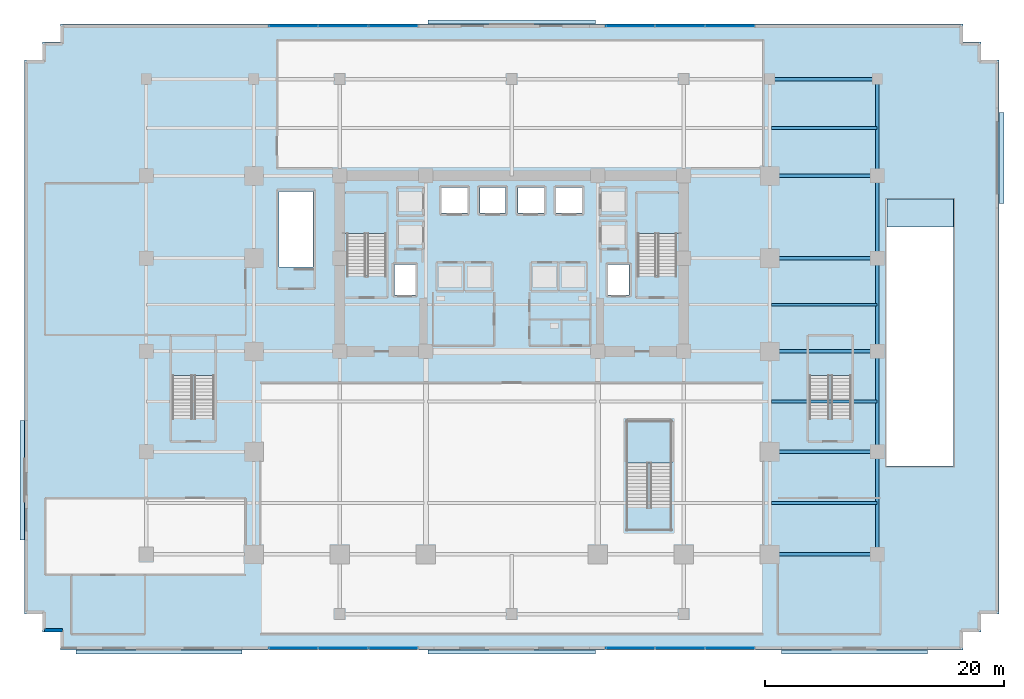
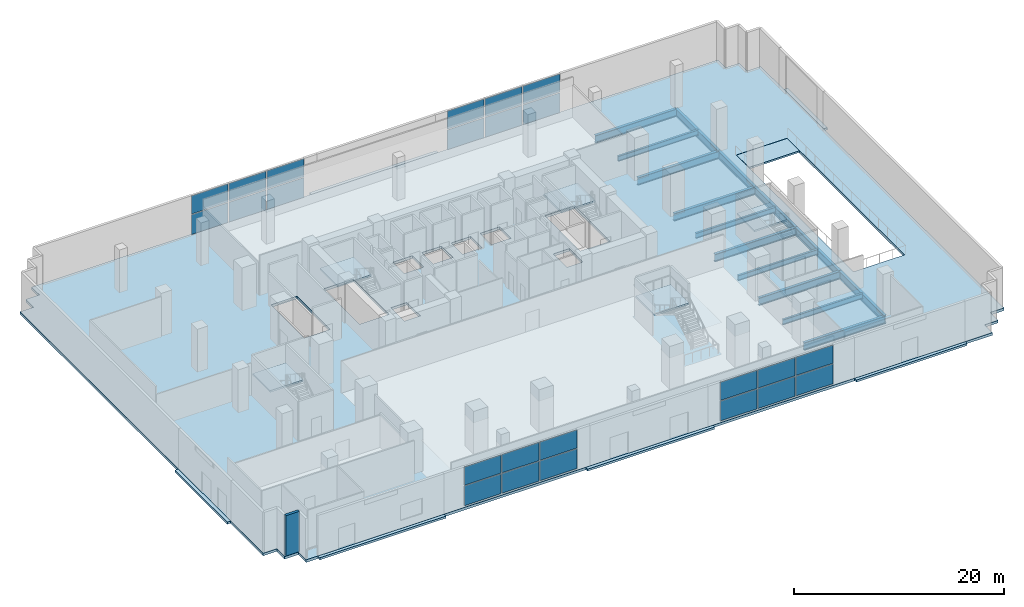
# One storey, part 12 of 27: 24 plates, 15 beams, 13 slabs, 1 wall, 9 elements without a shape of their own.
"""IFC4 building model written with IfcOpenShell, lengths in metres."""

from ifc_helpers import new_model, si_unit, direction, frame, frame_2d, origin, origin_2d, place, context, subcontext, project, spatial, polyline, rectangle, i_section, outline, extrude, source, transform, mapped, material, layer, layer_set, material_profile, profile_set, type_object, element, aggregate, save


model = new_model("IFC4")

# Units and contexts
model_context = context("Model", 3, precision=1e-05, world=origin(), true_north=direction((0.0, 1.0)))
body_context = subcontext(model_context, "Body", "Model", "MODEL_VIEW")
ifc_project = project(units=[si_unit("LENGTHUNIT", "METRE"), si_unit("AREAUNIT", "SQUARE_METRE"), si_unit("VOLUMEUNIT", "CUBIC_METRE"), si_unit("PLANEANGLEUNIT", "RADIAN"), si_unit("MASSUNIT", "GRAM", prefix="KILO")], contexts=[model_context])

# Site, building, storey
site_placement = place(None, origin())
site = spatial("IfcSite", under=ifc_project, at=site_placement, CompositionType="ELEMENT")
building_placement = place(site_placement, origin())
building = spatial("IfcBuilding", under=site, at=building_placement, Name="Zarnakvel Exchange Tower", CompositionType="ELEMENT")
storey_placement = place(building_placement, origin())
storey = spatial("IfcBuildingStorey", under=building, at=storey_placement, Name="L00", CompositionType="ELEMENT", Elevation=0.0)

# Beams
ifc_material_1 = material(Name="Steel S355", Category="steel")
ifc_material_profile_1 = material_profile(ifc_material_1, i_section(OverallWidth=0.230224609375, OverallDepth=0.6171875, WebThickness=0.01318359375, FlangeThickness=0.022216796875, FilletRadius=0.0126953125, at=origin_2d()))
ifc_profile_set_1 = profile_set([ifc_material_profile_1], Name="Steel S355")
beam_type_1 = type_object("IfcBeamType", Name="B-02", PredefinedType="JOIST", material=ifc_profile_set_1)
for number, where, z_axis, x_axis, name in (
    (1, (21.75, -13.89990234375, -0.608642578125), (1.0, 0.0, 0.0), (0.0, 1.0, 0.0), "L00 Secondary Floor Joist"),
    (2, (21.75, -5.39990234375, -0.608642578125), (1.0, 0.0, 0.0), (0.0, 1.0, 0.0), "L00 Secondary Floor Joist"),
    (3, (21.75, 2.699951171875, -0.608642578125), (1.0, 0.0, 0.0), (0.0, 1.0, 0.0), "L00 Secondary Floor Joist"),
    (4, (21.75, 17.5, -0.608642578125), (1.0, 0.0, 0.0), (0.0, 1.0, 0.0), "L00 North Bay Secondary Floor Joist"),
):
    element("IfcBeam", number, at=place(storey_placement, frame(where, z_axis=z_axis, x_axis=x_axis)), inside=storey, type_object=beam_type_1, Name=name, PredefinedType="JOIST", context=body_context, shape_type="SweptSolid", body=[
        extrude(i_section(OverallWidth=0.230224609375, OverallDepth=0.6171875, WebThickness=0.01318359375, FlangeThickness=0.022216796875, FilletRadius=0.0126953125, at=origin_2d()), origin(), (0.0, 0.0, 1.0), 8.85009765625),
    ])
ifc_material_profile_2 = material_profile(ifc_material_1, i_section(OverallWidth=0.300048828125, OverallDepth=0.89990234375, WebThickness=0.0185546875, FlangeThickness=0.034912109375, FilletRadius=0.030029296875, at=origin_2d()))
ifc_profile_set_2 = profile_set([ifc_material_profile_2], Name="Steel S355")
beam_type_2 = type_object("IfcBeamType", Name="G-01", PredefinedType="BEAM", material=ifc_profile_set_2)
for number, where, z_axis, x_axis, name in (
    (5, (21.60009765625, -18.199951171875, -0.75), (1.0, 0.0, 0.0), (0.0, 1.0, 0.0), "L00 Primary E-W Girder Y=-18.2"),
    (6, (21.60009765625, -9.60009765625, -0.75), (1.0, 0.0, 0.0), (0.0, 1.0, 0.0), "L00 Primary E-W Girder Y=-9.6"),
    (7, (21.60009765625, -1.199951171875, -0.75), (1.0, 0.0, 0.0), (0.0, 1.0, 0.0), "L00 Primary E-W Girder Y=-1.2"),
    (8, (21.60009765625, 6.60009765625, -0.75), (1.0, 0.0, 0.0), (0.0, 1.0, 0.0), "L00 Primary E-W Girder Y=+6.6"),
    (9, (21.60009765625, 13.5, -0.75), (1.0, 0.0, 0.0), (0.0, 1.0, 0.0), "L00 Primary E-W Girder Y=+13.5"),
    (10, (21.60009765625, 21.60009765625, -0.75), (1.0, 0.0, 0.0), (0.0, 1.0, 0.0), "L00 Primary E-W Girder Y=+21.6"),
):
    element("IfcBeam", number, at=place(storey_placement, frame(where, z_axis=z_axis, x_axis=x_axis)), inside=storey, type_object=beam_type_2, Name=name, PredefinedType="BEAM", context=body_context, shape_type="SweptSolid", body=[
        extrude(i_section(OverallWidth=0.300048828125, OverallDepth=0.89990234375, WebThickness=0.0185546875, FlangeThickness=0.034912109375, FilletRadius=0.030029296875, at=origin_2d()), origin(), (0.0, 0.0, 1.0), 9.0),
    ])
beam_1_placement = place(storey_placement, frame((30.60009765625, -18.199951171875, -0.75), z_axis=(0.0, 1.0, 0.0), x_axis=(-1.0, 0.0, 0.0)))
element("IfcBeam", 11, at=beam_1_placement, inside=storey, type_object=beam_type_2, Name="L00 Primary N-S Girder X=+30.6", PredefinedType="BEAM", context=body_context, shape_type="SweptSolid", body=[
    extrude(i_section(OverallWidth=0.300048828125, OverallDepth=0.89990234375, WebThickness=0.0185546875, FlangeThickness=0.034912109375, FilletRadius=0.030029296875, at=origin_2d()), origin(), (0.0, 0.0, 1.0), 8.599853515625),
])
beam_2_placement = place(storey_placement, frame((30.60009765625, -9.60009765625, -0.75), z_axis=(0.0, 1.0, 0.0), x_axis=(-1.0, 0.0, 0.0)))
element("IfcBeam", 12, at=beam_2_placement, inside=storey, type_object=beam_type_2, Name="L00 Primary N-S Girder X=+30.6", PredefinedType="BEAM", context=body_context, shape_type="SweptSolid", body=[
    extrude(i_section(OverallWidth=0.300048828125, OverallDepth=0.89990234375, WebThickness=0.0185546875, FlangeThickness=0.034912109375, FilletRadius=0.030029296875, at=origin_2d()), origin(), (0.0, 0.0, 1.0), 8.400146484375),
])
beam_3_placement = place(storey_placement, frame((30.60009765625, -1.199951171875, -0.75), z_axis=(0.0, 1.0, 0.0), x_axis=(-1.0, 0.0, 0.0)))
element("IfcBeam", 13, at=beam_3_placement, inside=storey, type_object=beam_type_2, Name="L00 Primary N-S Girder X=+30.6", PredefinedType="BEAM", context=body_context, shape_type="SweptSolid", body=[
    extrude(i_section(OverallWidth=0.300048828125, OverallDepth=0.89990234375, WebThickness=0.0185546875, FlangeThickness=0.034912109375, FilletRadius=0.030029296875, at=origin_2d()), origin(), (0.0, 0.0, 1.0), 7.800048828125),
])
beam_4_placement = place(storey_placement, frame((30.60009765625, 6.60009765625, -0.75), z_axis=(0.0, 1.0, 0.0), x_axis=(-1.0, 0.0, 0.0)))
element("IfcBeam", 14, at=beam_4_placement, inside=storey, type_object=beam_type_2, Name="L00 Primary N-S Girder X=+30.6", PredefinedType="BEAM", context=body_context, shape_type="SweptSolid", body=[
    extrude(i_section(OverallWidth=0.300048828125, OverallDepth=0.89990234375, WebThickness=0.0185546875, FlangeThickness=0.034912109375, FilletRadius=0.030029296875, at=origin_2d()), origin(), (0.0, 0.0, 1.0), 6.89990234375),
])
beam_5_placement = place(storey_placement, frame((30.60009765625, 13.5, -0.75), z_axis=(0.0, 1.0, 0.0), x_axis=(-1.0, 0.0, 0.0)))
element("IfcBeam", 15, at=beam_5_placement, inside=storey, type_object=beam_type_2, Name="L00 Primary N-S Girder X=+30.6", PredefinedType="BEAM", context=body_context, shape_type="SweptSolid", body=[
    extrude(i_section(OverallWidth=0.300048828125, OverallDepth=0.89990234375, WebThickness=0.0185546875, FlangeThickness=0.034912109375, FilletRadius=0.030029296875, at=origin_2d()), origin(), (0.0, 0.0, 1.0), 8.10009765625),
])

# Slabs
ifc_material_2 = material(Name="Concrete C40/50", Category="concrete")
ifc_layer_1 = layer(ifc_material_2, 0.25)
ifc_layer_set_1 = layer_set([ifc_layer_1], Name="Concrete C40/50")
slab_type_1 = type_object("IfcSlabType", Name="AP-01", PredefinedType="USERDEFINED", material=ifc_layer_set_1)
slab_1_placement = place(storey_placement, frame((0.0, 0.0, -0.25)))
element("IfcSlab", 16, at=slab_1_placement, inside=storey, type_object=slab_type_1, Name="L00 South Main Entrance Threshold Apron", ObjectType="APRON_SLAB", PredefinedType="USERDEFINED", context=body_context, shape_type="SweptSolid", body=[
    extrude(outline(polyline([(-7.0, -26.550048828125), (7.0, -26.550048828125), (7.0, -26.199951171875), (-7.0, -26.199951171875), (-7.0, -26.550048828125)])), origin(), (0.0, 0.0, 1.0), 0.25),
])
slab_2_placement = place(storey_placement, frame((0.0, 0.0, -0.25)))
element("IfcSlab", 17, at=slab_2_placement, inside=storey, type_object=slab_type_1, Name="L00 North Drop-Off Threshold Apron", ObjectType="APRON_SLAB", PredefinedType="USERDEFINED", context=body_context, shape_type="SweptSolid", body=[
    extrude(outline(polyline([(-7.0, 26.199951171875), (7.0, 26.199951171875), (7.0, 26.550048828125), (-7.0, 26.550048828125), (-7.0, 26.199951171875)])), origin(), (0.0, 0.0, 1.0), 0.25),
])
slab_3_placement = place(storey_placement, frame((0.0, 0.0, -0.25)))
element("IfcSlab", 18, at=slab_3_placement, inside=storey, type_object=slab_type_1, Name="L00 West Exit Discharge Threshold Apron", ObjectType="APRON_SLAB", PredefinedType="USERDEFINED", context=body_context, shape_type="SweptSolid", body=[
    extrude(outline(polyline([(-41.179931640625, -17.0), (-40.800048828125, -17.0), (-40.800048828125, -7.0), (-41.179931640625, -7.0), (-41.179931640625, -17.0)])), origin(), (0.0, 0.0, 1.0), 0.25),
])
slab_4_placement = place(storey_placement, frame((0.0, 0.0, -0.25)))
element("IfcSlab", 19, at=slab_4_placement, inside=storey, type_object=slab_type_1, Name="L00 Fire Command Threshold Apron", ObjectType="APRON_SLAB", PredefinedType="USERDEFINED", context=body_context, shape_type="SweptSolid", body=[
    extrude(outline(polyline([(-36.5, -26.550048828125), (-22.60009765625, -26.550048828125), (-22.60009765625, -26.199951171875), (-36.5, -26.199951171875), (-36.5, -26.550048828125)])), origin(), (0.0, 0.0, 1.0), 0.25),
])
slab_5_placement = place(storey_placement, frame((0.0, 0.0, -0.25)))
element("IfcSlab", 20, at=slab_5_placement, inside=storey, type_object=slab_type_1, Name="L00 South-East Exit Threshold Apron", ObjectType="APRON_SLAB", PredefinedType="USERDEFINED", context=body_context, shape_type="SweptSolid", body=[
    extrude(outline(polyline([(22.60009765625, -26.550048828125), (34.800048828125, -26.550048828125), (34.800048828125, -26.199951171875), (22.60009765625, -26.199951171875), (22.60009765625, -26.550048828125)])), origin(), (0.0, 0.0, 1.0), 0.25),
])
slab_6_placement = place(storey_placement, frame((0.0, 0.0, -0.25)))
element("IfcSlab", 21, at=slab_6_placement, inside=storey, type_object=slab_type_1, Name="L00 Car-Park Ramp Driveway Apron Slab", ObjectType="APRON_SLAB", PredefinedType="USERDEFINED", context=body_context, shape_type="SweptSolid", body=[
    extrude(outline(polyline([(40.800048828125, 11.199951171875), (41.219970703125, 11.199951171875), (41.219970703125, 18.800048828125), (40.800048828125, 18.800048828125), (40.800048828125, 11.199951171875)])), origin(), (0.0, 0.0, 1.0), 0.25),
])

# Stair, slab
stair_type_1 = type_object("IfcStairType", Name="STR-01", PredefinedType="HALF_TURN_STAIR", material=ifc_material_2)
stair_1_placement = place(storey_placement, origin())
stair_1 = element("IfcStair", 22, at=stair_1_placement, inside=storey, type_object=stair_type_1, Name="L00 Protected Core Exit Stair ST-01", PredefinedType="HALF_TURN_STAIR")
ifc_layer_2 = layer(ifc_material_2, 0.199951171875)
ifc_layer_set_2 = layer_set([ifc_layer_2], Name="Concrete C40/50")
slab_type_2 = type_object("IfcSlabType", Name="LDG-01", PredefinedType="LANDING", material=ifc_layer_set_2)
slab_7_placement = place(storey_placement, frame((0.0, 0.0, 2.300048828125)))
slab_7 = element("IfcSlab", 23, at=slab_7_placement, type_object=slab_type_2, Name="ST-01 landing 1", PredefinedType="LANDING", context=body_context, shape_type="SweptSolid", body=[
    extrude(outline(polyline([(-14.18994140625, 8.68994140625), (-10.4599609375, 8.68994140625), (-10.4599609375, 12.080078125), (-14.18994140625, 12.080078125), (-14.18994140625, 8.68994140625)])), origin(), (0.0, 0.0, 1.0), 0.199951171875),
])
aggregate(stair_1, [slab_7])

stair_2_placement = place(storey_placement, origin())
stair_2 = element("IfcStair", 24, at=stair_2_placement, inside=storey, type_object=stair_type_1, Name="L00 Protected Core Exit Stair ST-02", PredefinedType="HALF_TURN_STAIR")
slab_8_placement = place(storey_placement, frame((0.0, 0.0, 2.300048828125)))
slab_8 = element("IfcSlab", 25, at=slab_8_placement, type_object=slab_type_2, Name="ST-02 landing 1", PredefinedType="LANDING", context=body_context, shape_type="SweptSolid", body=[
    extrude(outline(polyline([(10.4599609375, 8.68994140625), (14.18994140625, 8.68994140625), (14.18994140625, 12.080078125), (10.4599609375, 12.080078125), (10.4599609375, 8.68994140625)])), origin(), (0.0, 0.0, 1.0), 0.199951171875),
])
aggregate(stair_2, [slab_8])

stair_type_2 = type_object("IfcStairType", Name="STR-02", PredefinedType="HALF_TURN_STAIR", material=ifc_material_2)
stair_3_placement = place(storey_placement, origin())
stair_3 = element("IfcStair", 26, at=stair_3_placement, inside=storey, type_object=stair_type_2, Name="L00 Podium West Exit Stair ST-03", PredefinedType="HALF_TURN_STAIR")
slab_9_placement = place(storey_placement, frame((0.0, 0.0, 2.300048828125)))
slab_9 = element("IfcSlab", 27, at=slab_9_placement, type_object=slab_type_2, Name="ST-03 landing 1", PredefinedType="LANDING", context=body_context, shape_type="SweptSolid", body=[
    extrude(outline(polyline([(-28.5, -3.2099609375), (-24.840087890625, -3.2099609375), (-24.840087890625, 0.10009765625), (-28.5, 0.10009765625), (-28.5, -3.2099609375)])), origin(), (0.0, 0.0, 1.0), 0.199951171875),
])
aggregate(stair_3, [slab_9])

stair_4_placement = place(storey_placement, origin())
stair_4 = element("IfcStair", 28, at=stair_4_placement, inside=storey, type_object=stair_type_2, Name="L00 Podium East Exit Stair ST-04", PredefinedType="HALF_TURN_STAIR")
slab_10_placement = place(storey_placement, frame((0.0, 0.0, 2.300048828125)))
slab_10 = element("IfcSlab", 29, at=slab_10_placement, type_object=slab_type_2, Name="ST-04 landing 1", PredefinedType="LANDING", context=body_context, shape_type="SweptSolid", body=[
    extrude(outline(polyline([(24.840087890625, -3.2099609375), (28.5, -3.2099609375), (28.5, 0.10009765625), (24.840087890625, 0.10009765625), (24.840087890625, -3.2099609375)])), origin(), (0.0, 0.0, 1.0), 0.199951171875),
])
aggregate(stair_4, [slab_10])

stair_type_3 = type_object("IfcStairType", Name="STR-04", PredefinedType="HALF_TURN_STAIR", material=ifc_material_2)
stair_5_placement = place(storey_placement, origin())
stair_5 = element("IfcStair", 30, at=stair_5_placement, inside=storey, type_object=stair_type_3, Name="L00 Exchange Concourse Atrium Feature Stair ST-06", PredefinedType="HALF_TURN_STAIR")
slab_11_placement = place(storey_placement, frame((0.0, 0.0, 2.300048828125)))
slab_11 = element("IfcSlab", 31, at=slab_11_placement, type_object=slab_type_2, Name="ST-06 landing 1", PredefinedType="LANDING", context=body_context, shape_type="SweptSolid", body=[
    extrude(outline(polyline([(9.580078125, -10.530029296875), (13.419921875, -10.530029296875), (13.419921875, -6.97998046875), (9.580078125, -6.97998046875), (9.580078125, -10.530029296875)])), origin(), (0.0, 0.0, 1.0), 0.199951171875),
])
aggregate(stair_5, [slab_11])

# Slabs
slab_12_placement = place(storey_placement, frame((0.0, 0.0, -0.199951171875)))
element("IfcSlab", 32, at=slab_12_placement, inside=storey, type_object=slab_type_2, Name="L00 Car Park Vehicle Ramp R-01 Grade Arrival Landing", PredefinedType="LANDING", context=body_context, shape_type="SweptSolid", body=[
    extrude(outline(polyline([(31.419921875, 9.199951171875), (36.97998046875, 9.199951171875), (36.97998046875, 11.580078125), (31.419921875, 11.580078125), (31.419921875, 9.199951171875)])), origin(), (0.0, 0.0, 1.0), 0.199951171875),
])
ifc_layer_3 = layer(ifc_material_2, 0.300048828125)
ifc_layer_set_3 = layer_set([ifc_layer_3], Name="Concrete C40/50")
slab_type_3 = type_object("IfcSlabType", Name="SL-01", PredefinedType="FLOOR", material=ifc_layer_set_3)
slab_13_placement = place(storey_placement, frame((0.0, 0.0, -0.300048828125)))
element("IfcSlab", 33, at=slab_13_placement, inside=storey, type_object=slab_type_3, Name="L00 Primary Structural Floor Slab", PredefinedType="FLOOR", context=body_context, shape_type="SweptSolid", body=[
    extrude(outline(polyline([(-40.800048828125, -23.199951171875), (-39.300048828125, -23.199951171875), (-39.300048828125, -24.699951171875), (-37.800048828125, -24.699951171875), (-37.800048828125, -26.199951171875), (37.800048828125, -26.199951171875), (37.800048828125, -24.699951171875), (39.300048828125, -24.699951171875), (39.300048828125, -23.199951171875), (40.800048828125, -23.199951171875), (40.800048828125, 23.199951171875), (39.300048828125, 23.199951171875), (39.300048828125, 24.699951171875), (37.800048828125, 24.699951171875), (37.800048828125, 26.199951171875), (-37.800048828125, 26.199951171875), (-37.800048828125, 24.699951171875), (-39.300048828125, 24.699951171875), (-39.300048828125, 23.199951171875), (-40.800048828125, 23.199951171875), (-40.800048828125, -23.199951171875)]), holes=[polyline([(-13.800048828125, 5.2099609375), (-10.5400390625, 5.2099609375), (-10.5400390625, 12.0), (-13.800048828125, 12.0), (-13.800048828125, 5.2099609375)]), polyline([(10.5400390625, 5.2099609375), (13.800048828125, 5.2099609375), (13.800048828125, 12.0), (10.5400390625, 12.0), (10.5400390625, 5.2099609375)]), polyline([(-19.5, 5.860107421875), (-16.639892578125, 5.860107421875), (-16.639892578125, 12.199951171875), (-19.5, 12.199951171875), (-19.5, 5.860107421875)]), polyline([(-9.830078125, 3.52001953125), (-8.070068359375, 3.52001953125), (-8.070068359375, 6.080078125), (-9.830078125, 6.080078125), (-9.830078125, 3.52001953125)]), polyline([(8.070068359375, 3.52001953125), (9.830078125, 3.52001953125), (9.830078125, 6.080078125), (8.070068359375, 6.080078125), (8.070068359375, 3.52001953125)]), polyline([(-5.8798828125, 10.3701171875), (-3.719970703125, 10.3701171875), (-3.719970703125, 12.530029296875), (-5.8798828125, 12.530029296875), (-5.8798828125, 10.3701171875)]), polyline([(-2.679931640625, 10.3701171875), (-0.52001953125, 10.3701171875), (-0.52001953125, 12.530029296875), (-2.679931640625, 12.530029296875), (-2.679931640625, 10.3701171875)]), polyline([(0.52001953125, 10.3701171875), (2.679931640625, 10.3701171875), (2.679931640625, 12.530029296875), (0.52001953125, 12.530029296875), (0.52001953125, 10.3701171875)]), polyline([(3.719970703125, 10.3701171875), (5.8798828125, 10.3701171875), (5.8798828125, 12.530029296875), (3.719970703125, 12.530029296875), (3.719970703125, 10.3701171875)]), polyline([(31.39990234375, -10.800048828125), (37.0, -10.800048828125), (37.0, 11.60009765625), (31.39990234375, 11.60009765625), (31.39990234375, -10.800048828125)])]), origin(), (0.0, 0.0, 1.0), 0.300048828125),
])

# Curtain wall, plates
ifc_material_3 = material(Name="Architectural Bronze Anodised Aluminium", Category="aluminium")
ifc_layer_4 = layer(ifc_material_3, 0.260009765625)
ifc_layer_set_4 = layer_set([ifc_layer_4], Name="Architectural Bronze Anodised Aluminium")
curtain_wall_type = type_object("IfcCurtainWallType", Name="CW-01", PredefinedType="NOTDEFINED", material=ifc_layer_set_4)
curtain_wall_1_placement = place(storey_placement, origin())
curtain_wall_1 = element("IfcCurtainWall", 34, at=curtain_wall_1_placement, inside=storey, type_object=curtain_wall_type, Name="L00 Curtain Wall CW-L00-S1 (CW-01)", PredefinedType="NOTDEFINED")
ifc_material_4 = material(Name="Double Low-E Laminated Vision Glass", Category="glass")
ifc_layer_5 = layer(ifc_material_4, 0.035888671875)
ifc_layer_set_5 = layer_set([ifc_layer_5], Name="Double Low-E Laminated Vision Glass")
plate_type = type_object("IfcPlateType", Name="CWP-01", PredefinedType="CURTAIN_PANEL", material=ifc_layer_set_5)
shared_shape_1 = source(origin(), body_context, "Body", "SweptSolid", [
    extrude(rectangle(XDim=4.050048828125, YDim=0.035888671875, at=origin_2d()), origin(), (0.0, 0.0, 1.0), 2.298583984375),
])
plate_1_placement = place(storey_placement, frame((-18.27490234375, -26.0400390625, 0.08984375), z_axis=(0.0, 0.0, 1.0), x_axis=(1.0, 0.0, 0.0)))
plate_1 = element("IfcPlate", 35, at=plate_1_placement, type_object=plate_type, Name="CW-01 panel 1.1", PredefinedType="CURTAIN_PANEL", context=body_context, shape_type="MappedRepresentation", body=[
    mapped(shared_shape_1, transform((0.0, 0.0, 0.0), x_axis=(1.0, 0.0, 0.0), y_axis=(0.0, 1.0, 0.0), z_axis=(0.0, 0.0, 1.0), scale=1.0)),
])
plate_2_placement = place(storey_placement, frame((-9.925048828125, -26.0400390625, 0.08984375), z_axis=(0.0, 0.0, 1.0), x_axis=(1.0, 0.0, 0.0)))
plate_2 = element("IfcPlate", 36, at=plate_2_placement, type_object=plate_type, Name="CW-01 panel 3.1", PredefinedType="CURTAIN_PANEL", context=body_context, shape_type="MappedRepresentation", body=[
    mapped(shared_shape_1, transform((0.0, 0.0, 0.0), x_axis=(1.0, 0.0, 0.0), y_axis=(0.0, 1.0, 0.0), z_axis=(0.0, 0.0, 1.0), scale=1.0)),
])

curtain_wall_2_placement = place(storey_placement, origin())
curtain_wall_2 = element("IfcCurtainWall", 37, at=curtain_wall_2_placement, inside=storey, type_object=curtain_wall_type, Name="L00 Curtain Wall CW-L00-S2 (CW-01)", PredefinedType="NOTDEFINED")
plate_3_placement = place(storey_placement, frame((9.925048828125, -26.0400390625, 0.08984375), z_axis=(0.0, 0.0, 1.0), x_axis=(1.0, 0.0, 0.0)))
plate_3 = element("IfcPlate", 38, at=plate_3_placement, type_object=plate_type, Name="CW-01 panel 1.1", PredefinedType="CURTAIN_PANEL", context=body_context, shape_type="MappedRepresentation", body=[
    mapped(shared_shape_1, transform((0.0, 0.0, 0.0), x_axis=(1.0, 0.0, 0.0), y_axis=(0.0, 1.0, 0.0), z_axis=(0.0, 0.0, 1.0), scale=1.0)),
])
plate_4_placement = place(storey_placement, frame((18.27490234375, -26.0400390625, 0.08984375), z_axis=(0.0, 0.0, 1.0), x_axis=(1.0, 0.0, 0.0)))
plate_4 = element("IfcPlate", 39, at=plate_4_placement, type_object=plate_type, Name="CW-01 panel 3.1", PredefinedType="CURTAIN_PANEL", context=body_context, shape_type="MappedRepresentation", body=[
    mapped(shared_shape_1, transform((0.0, 0.0, 0.0), x_axis=(1.0, 0.0, 0.0), y_axis=(0.0, 1.0, 0.0), z_axis=(0.0, 0.0, 1.0), scale=1.0)),
])

curtain_wall_3_placement = place(storey_placement, origin())
curtain_wall_3 = element("IfcCurtainWall", 40, at=curtain_wall_3_placement, inside=storey, type_object=curtain_wall_type, Name="L00 Curtain Wall CW-L00-N1 (CW-01)", PredefinedType="NOTDEFINED")
plate_5_placement = place(storey_placement, frame((-18.27490234375, 26.0400390625, 0.08984375), z_axis=(0.0, 0.0, 1.0), x_axis=(1.0, 0.0, 0.0)))
plate_5 = element("IfcPlate", 41, at=plate_5_placement, type_object=plate_type, Name="CW-01 panel 1.1", PredefinedType="CURTAIN_PANEL", context=body_context, shape_type="MappedRepresentation", body=[
    mapped(shared_shape_1, transform((0.0, 0.0, 0.0), x_axis=(1.0, 0.0, 0.0), y_axis=(0.0, 1.0, 0.0), z_axis=(0.0, 0.0, 1.0), scale=1.0)),
])
plate_6_placement = place(storey_placement, frame((-9.925048828125, 26.0400390625, 0.08984375), z_axis=(0.0, 0.0, 1.0), x_axis=(1.0, 0.0, 0.0)))
plate_6 = element("IfcPlate", 42, at=plate_6_placement, type_object=plate_type, Name="CW-01 panel 3.1", PredefinedType="CURTAIN_PANEL", context=body_context, shape_type="MappedRepresentation", body=[
    mapped(shared_shape_1, transform((0.0, 0.0, 0.0), x_axis=(1.0, 0.0, 0.0), y_axis=(0.0, 1.0, 0.0), z_axis=(0.0, 0.0, 1.0), scale=1.0)),
])

curtain_wall_4_placement = place(storey_placement, origin())
curtain_wall_4 = element("IfcCurtainWall", 43, at=curtain_wall_4_placement, inside=storey, type_object=curtain_wall_type, Name="L00 Curtain Wall CW-L00-N2 (CW-01)", PredefinedType="NOTDEFINED")
plate_7_placement = place(storey_placement, frame((9.925048828125, 26.0400390625, 0.08984375), z_axis=(0.0, 0.0, 1.0), x_axis=(1.0, 0.0, 0.0)))
plate_7 = element("IfcPlate", 44, at=plate_7_placement, type_object=plate_type, Name="CW-01 panel 1.1", PredefinedType="CURTAIN_PANEL", context=body_context, shape_type="MappedRepresentation", body=[
    mapped(shared_shape_1, transform((0.0, 0.0, 0.0), x_axis=(1.0, 0.0, 0.0), y_axis=(0.0, 1.0, 0.0), z_axis=(0.0, 0.0, 1.0), scale=1.0)),
])
plate_8_placement = place(storey_placement, frame((18.27490234375, 26.0400390625, 0.08984375), z_axis=(0.0, 0.0, 1.0), x_axis=(1.0, 0.0, 0.0)))
plate_8 = element("IfcPlate", 45, at=plate_8_placement, type_object=plate_type, Name="CW-01 panel 3.1", PredefinedType="CURTAIN_PANEL", context=body_context, shape_type="MappedRepresentation", body=[
    mapped(shared_shape_1, transform((0.0, 0.0, 0.0), x_axis=(1.0, 0.0, 0.0), y_axis=(0.0, 1.0, 0.0), z_axis=(0.0, 0.0, 1.0), scale=1.0)),
])

# Plate
shared_shape_2 = source(origin(), body_context, "Body", "SweptSolid", [
    extrude(rectangle(XDim=4.050048828125, YDim=0.035888671875, at=origin_2d()), origin(), (0.0, 0.0, 1.0), 2.111328125),
])
plate_9_placement = place(storey_placement, frame((-18.27490234375, -26.0400390625, 2.478515625), z_axis=(0.0, 0.0, 1.0), x_axis=(1.0, 0.0, 0.0)))
plate_9 = element("IfcPlate", 46, at=plate_9_placement, type_object=plate_type, Name="CW-01 panel 1.2", PredefinedType="CURTAIN_PANEL", context=body_context, shape_type="MappedRepresentation", body=[
    mapped(shared_shape_2, transform((0.0, 0.0, 0.0), x_axis=(1.0, 0.0, 0.0), y_axis=(0.0, 1.0, 0.0), z_axis=(0.0, 0.0, 1.0), scale=1.0)),
])

plate_10_placement = place(storey_placement, frame((-9.925048828125, -26.0400390625, 2.478515625), z_axis=(0.0, 0.0, 1.0), x_axis=(1.0, 0.0, 0.0)))
plate_10 = element("IfcPlate", 47, at=plate_10_placement, type_object=plate_type, Name="CW-01 panel 3.2", PredefinedType="CURTAIN_PANEL", context=body_context, shape_type="MappedRepresentation", body=[
    mapped(shared_shape_2, transform((0.0, 0.0, 0.0), x_axis=(1.0, 0.0, 0.0), y_axis=(0.0, 1.0, 0.0), z_axis=(0.0, 0.0, 1.0), scale=1.0)),
])

plate_11_placement = place(storey_placement, frame((9.925048828125, -26.0400390625, 2.478515625), z_axis=(0.0, 0.0, 1.0), x_axis=(1.0, 0.0, 0.0)))
plate_11 = element("IfcPlate", 48, at=plate_11_placement, type_object=plate_type, Name="CW-01 panel 1.2", PredefinedType="CURTAIN_PANEL", context=body_context, shape_type="MappedRepresentation", body=[
    mapped(shared_shape_2, transform((0.0, 0.0, 0.0), x_axis=(1.0, 0.0, 0.0), y_axis=(0.0, 1.0, 0.0), z_axis=(0.0, 0.0, 1.0), scale=1.0)),
])

plate_12_placement = place(storey_placement, frame((18.27490234375, -26.0400390625, 2.478515625), z_axis=(0.0, 0.0, 1.0), x_axis=(1.0, 0.0, 0.0)))
plate_12 = element("IfcPlate", 49, at=plate_12_placement, type_object=plate_type, Name="CW-01 panel 3.2", PredefinedType="CURTAIN_PANEL", context=body_context, shape_type="MappedRepresentation", body=[
    mapped(shared_shape_2, transform((0.0, 0.0, 0.0), x_axis=(1.0, 0.0, 0.0), y_axis=(0.0, 1.0, 0.0), z_axis=(0.0, 0.0, 1.0), scale=1.0)),
])

plate_13_placement = place(storey_placement, frame((-18.27490234375, 26.0400390625, 2.478515625), z_axis=(0.0, 0.0, 1.0), x_axis=(1.0, 0.0, 0.0)))
plate_13 = element("IfcPlate", 50, at=plate_13_placement, type_object=plate_type, Name="CW-01 panel 1.2", PredefinedType="CURTAIN_PANEL", context=body_context, shape_type="MappedRepresentation", body=[
    mapped(shared_shape_2, transform((0.0, 0.0, 0.0), x_axis=(1.0, 0.0, 0.0), y_axis=(0.0, 1.0, 0.0), z_axis=(0.0, 0.0, 1.0), scale=1.0)),
])

plate_14_placement = place(storey_placement, frame((-9.925048828125, 26.0400390625, 2.478515625), z_axis=(0.0, 0.0, 1.0), x_axis=(1.0, 0.0, 0.0)))
plate_14 = element("IfcPlate", 51, at=plate_14_placement, type_object=plate_type, Name="CW-01 panel 3.2", PredefinedType="CURTAIN_PANEL", context=body_context, shape_type="MappedRepresentation", body=[
    mapped(shared_shape_2, transform((0.0, 0.0, 0.0), x_axis=(1.0, 0.0, 0.0), y_axis=(0.0, 1.0, 0.0), z_axis=(0.0, 0.0, 1.0), scale=1.0)),
])

plate_15_placement = place(storey_placement, frame((9.925048828125, 26.0400390625, 2.478515625), z_axis=(0.0, 0.0, 1.0), x_axis=(1.0, 0.0, 0.0)))
plate_15 = element("IfcPlate", 52, at=plate_15_placement, type_object=plate_type, Name="CW-01 panel 1.2", PredefinedType="CURTAIN_PANEL", context=body_context, shape_type="MappedRepresentation", body=[
    mapped(shared_shape_2, transform((0.0, 0.0, 0.0), x_axis=(1.0, 0.0, 0.0), y_axis=(0.0, 1.0, 0.0), z_axis=(0.0, 0.0, 1.0), scale=1.0)),
])

plate_16_placement = place(storey_placement, frame((18.27490234375, 26.0400390625, 2.478515625), z_axis=(0.0, 0.0, 1.0), x_axis=(1.0, 0.0, 0.0)))
plate_16 = element("IfcPlate", 53, at=plate_16_placement, type_object=plate_type, Name="CW-01 panel 3.2", PredefinedType="CURTAIN_PANEL", context=body_context, shape_type="MappedRepresentation", body=[
    mapped(shared_shape_2, transform((0.0, 0.0, 0.0), x_axis=(1.0, 0.0, 0.0), y_axis=(0.0, 1.0, 0.0), z_axis=(0.0, 0.0, 1.0), scale=1.0)),
])

shared_shape_3 = source(origin(), body_context, "Body", "SweptSolid", [
    extrude(rectangle(XDim=4.10009765625, YDim=0.035888671875, at=origin_2d()), origin(), (0.0, 0.0, 1.0), 2.298583984375),
])
plate_17_placement = place(storey_placement, frame((-14.10009765625, -26.0400390625, 0.08984375), z_axis=(0.0, 0.0, 1.0), x_axis=(1.0, 0.0, 0.0)))
plate_17 = element("IfcPlate", 54, at=plate_17_placement, type_object=plate_type, Name="CW-01 panel 2.1", PredefinedType="CURTAIN_PANEL", context=body_context, shape_type="MappedRepresentation", body=[
    mapped(shared_shape_3, transform((0.0, 0.0, 0.0), x_axis=(1.0, 0.0, 0.0), y_axis=(0.0, 1.0, 0.0), z_axis=(0.0, 0.0, 1.0), scale=1.0)),
])

plate_18_placement = place(storey_placement, frame((14.10009765625, -26.0400390625, 0.08984375), z_axis=(0.0, 0.0, 1.0), x_axis=(1.0, 0.0, 0.0)))
plate_18 = element("IfcPlate", 55, at=plate_18_placement, type_object=plate_type, Name="CW-01 panel 2.1", PredefinedType="CURTAIN_PANEL", context=body_context, shape_type="MappedRepresentation", body=[
    mapped(shared_shape_3, transform((0.0, 0.0, 0.0), x_axis=(1.0, 0.0, 0.0), y_axis=(0.0, 1.0, 0.0), z_axis=(0.0, 0.0, 1.0), scale=1.0)),
])

plate_19_placement = place(storey_placement, frame((-14.10009765625, 26.0400390625, 0.08984375), z_axis=(0.0, 0.0, 1.0), x_axis=(1.0, 0.0, 0.0)))
plate_19 = element("IfcPlate", 56, at=plate_19_placement, type_object=plate_type, Name="CW-01 panel 2.1", PredefinedType="CURTAIN_PANEL", context=body_context, shape_type="MappedRepresentation", body=[
    mapped(shared_shape_3, transform((0.0, 0.0, 0.0), x_axis=(1.0, 0.0, 0.0), y_axis=(0.0, 1.0, 0.0), z_axis=(0.0, 0.0, 1.0), scale=1.0)),
])

plate_20_placement = place(storey_placement, frame((14.10009765625, 26.0400390625, 0.08984375), z_axis=(0.0, 0.0, 1.0), x_axis=(1.0, 0.0, 0.0)))
plate_20 = element("IfcPlate", 57, at=plate_20_placement, type_object=plate_type, Name="CW-01 panel 2.1", PredefinedType="CURTAIN_PANEL", context=body_context, shape_type="MappedRepresentation", body=[
    mapped(shared_shape_3, transform((0.0, 0.0, 0.0), x_axis=(1.0, 0.0, 0.0), y_axis=(0.0, 1.0, 0.0), z_axis=(0.0, 0.0, 1.0), scale=1.0)),
])

shared_shape_4 = source(origin(), body_context, "Body", "SweptSolid", [
    extrude(rectangle(XDim=4.10009765625, YDim=0.035888671875, at=origin_2d()), origin(), (0.0, 0.0, 1.0), 2.111328125),
])
plate_21_placement = place(storey_placement, frame((-14.10009765625, -26.0400390625, 2.478515625), z_axis=(0.0, 0.0, 1.0), x_axis=(1.0, 0.0, 0.0)))
plate_21 = element("IfcPlate", 58, at=plate_21_placement, type_object=plate_type, Name="CW-01 panel 2.2", PredefinedType="CURTAIN_PANEL", context=body_context, shape_type="MappedRepresentation", body=[
    mapped(shared_shape_4, transform((0.0, 0.0, 0.0), x_axis=(1.0, 0.0, 0.0), y_axis=(0.0, 1.0, 0.0), z_axis=(0.0, 0.0, 1.0), scale=1.0)),
])

aggregate(curtain_wall_1, [plate_1, plate_9, plate_17, plate_21, plate_2, plate_10])

plate_22_placement = place(storey_placement, frame((14.10009765625, -26.0400390625, 2.478515625), z_axis=(0.0, 0.0, 1.0), x_axis=(1.0, 0.0, 0.0)))
plate_22 = element("IfcPlate", 59, at=plate_22_placement, type_object=plate_type, Name="CW-01 panel 2.2", PredefinedType="CURTAIN_PANEL", context=body_context, shape_type="MappedRepresentation", body=[
    mapped(shared_shape_4, transform((0.0, 0.0, 0.0), x_axis=(1.0, 0.0, 0.0), y_axis=(0.0, 1.0, 0.0), z_axis=(0.0, 0.0, 1.0), scale=1.0)),
])

aggregate(curtain_wall_2, [plate_3, plate_11, plate_18, plate_22, plate_4, plate_12])

plate_23_placement = place(storey_placement, frame((-14.10009765625, 26.0400390625, 2.478515625), z_axis=(0.0, 0.0, 1.0), x_axis=(1.0, 0.0, 0.0)))
plate_23 = element("IfcPlate", 60, at=plate_23_placement, type_object=plate_type, Name="CW-01 panel 2.2", PredefinedType="CURTAIN_PANEL", context=body_context, shape_type="MappedRepresentation", body=[
    mapped(shared_shape_4, transform((0.0, 0.0, 0.0), x_axis=(1.0, 0.0, 0.0), y_axis=(0.0, 1.0, 0.0), z_axis=(0.0, 0.0, 1.0), scale=1.0)),
])

aggregate(curtain_wall_3, [plate_5, plate_13, plate_19, plate_23, plate_6, plate_14])

plate_24_placement = place(storey_placement, frame((14.10009765625, 26.0400390625, 2.478515625), z_axis=(0.0, 0.0, 1.0), x_axis=(1.0, 0.0, 0.0)))
plate_24 = element("IfcPlate", 61, at=plate_24_placement, type_object=plate_type, Name="CW-01 panel 2.2", PredefinedType="CURTAIN_PANEL", context=body_context, shape_type="MappedRepresentation", body=[
    mapped(shared_shape_4, transform((0.0, 0.0, 0.0), x_axis=(1.0, 0.0, 0.0), y_axis=(0.0, 1.0, 0.0), z_axis=(0.0, 0.0, 1.0), scale=1.0)),
])

aggregate(curtain_wall_4, [plate_7, plate_15, plate_20, plate_24, plate_8, plate_16])

# Wall
ifc_material_5 = material(Name="Precast concrete C40/50", Category="concrete")
ifc_layer_6 = layer(ifc_material_5, 0.280029296875)
ifc_layer_set_6 = layer_set([ifc_layer_6], Name="Precast concrete C40/50")
wall_type = type_object("IfcWallType", Name="EW-01", PredefinedType="SOLIDWALL", material=ifc_layer_set_6)
wall_placement = place(storey_placement, frame((-39.139892578125, -24.5400390625, 0.0), z_axis=(0.0, 0.0, 1.0), x_axis=(1.0, 0.0, 0.0)))
element("IfcWall", 62, at=wall_placement, inside=storey, type_object=wall_type, Name="L00 Exterior Precast Spandrel Wall EWC-L00-28 (EW-01)", PredefinedType="SOLIDWALL", context=body_context, shape_type="SweptSolid", body=[
    extrude(rectangle(XDim=1.5, YDim=0.280029296875, at=frame_2d((0.75, 0.0))), origin(), (0.0, 0.0, 1.0), 4.699951171875),
])

save(model, "model.ifc")
